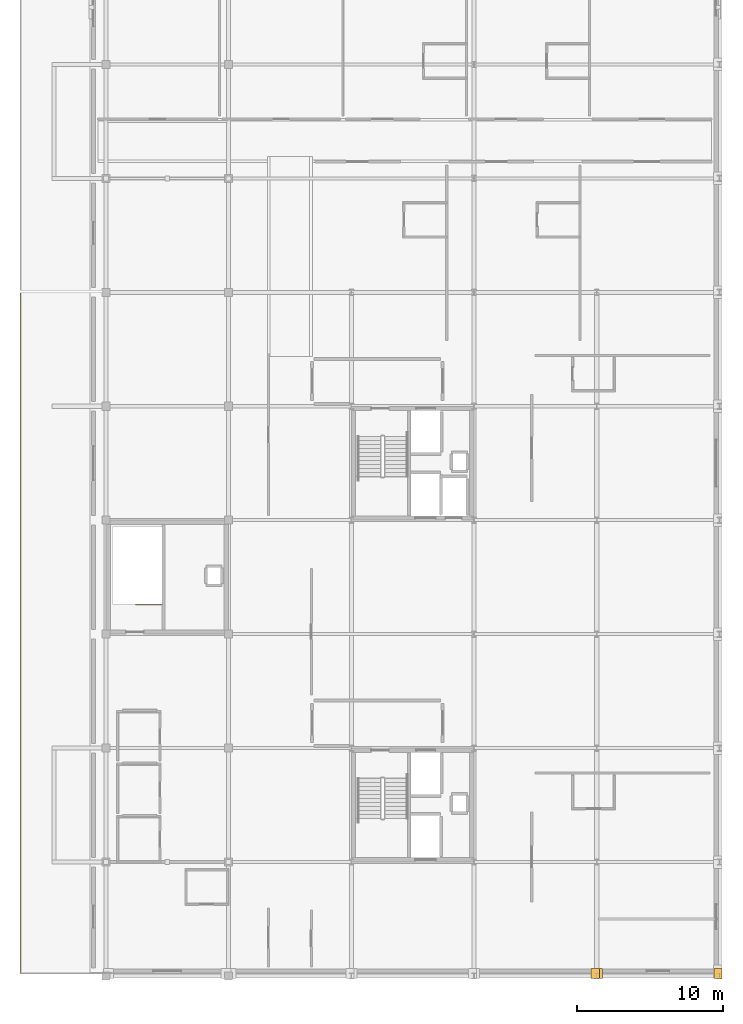
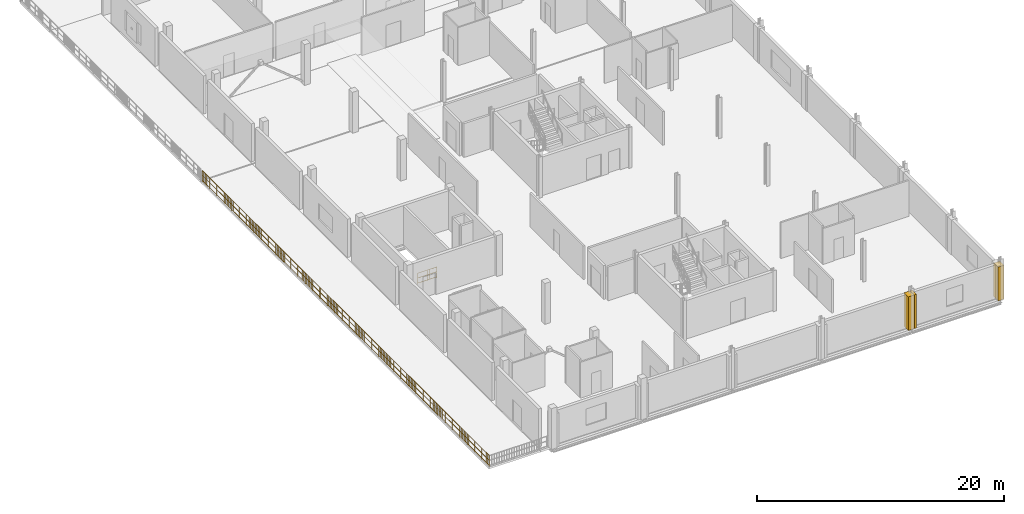
# One storey, part 12 of 16: 3 coverings, 2 railings.
"""IFC4 building model written with IfcOpenShell, lengths in metres."""

from ifc_helpers import new_model, si_unit, direction, frame, origin, origin_2d, place, context, subcontext, project, spatial, polyline, circle, outline, extrude, material, layer, layer_set, type_object, element, save


model = new_model("IFC4")

# Units and contexts
model_context = context("Model", 3, precision=1e-05, world=origin(), true_north=direction((0.0, 1.0)))
body_context = subcontext(model_context, "Body", "Model", "MODEL_VIEW")
ifc_project = project(units=[si_unit("LENGTHUNIT", "METRE"), si_unit("AREAUNIT", "SQUARE_METRE"), si_unit("VOLUMEUNIT", "CUBIC_METRE"), si_unit("PLANEANGLEUNIT", "RADIAN"), si_unit("MASSUNIT", "GRAM", prefix="KILO")], contexts=[model_context])

# Site, building, storey
site_placement = place(None, origin())
site = spatial("IfcSite", under=ifc_project, at=site_placement, CompositionType="ELEMENT")
building_placement = place(site_placement, origin())
building = spatial("IfcBuilding", under=site, at=building_placement, Name="Nabrawat Pavilion Hospital", CompositionType="ELEMENT")
storey_placement = place(building_placement, frame((0.0, 0.0, 31.050048828125)))
storey = spatial("IfcBuildingStorey", under=building, at=storey_placement, Name="L07", CompositionType="ELEMENT", Elevation=31.050048828125)

# Coverings
ifc_material_1 = material(Name="Precast concrete C40/50", Category="concrete")
ifc_layer_1 = layer(ifc_material_1, 0.360107421875, Name="Precast concrete C40/50")
ifc_layer_set_1 = layer_set([ifc_layer_1], Name="Precast concrete C40/50")
covering_type = type_object("IfcCoveringType", Name="Architectural Precast Column-Jamb Closure Reveal", PredefinedType="CLADDING", material=ifc_layer_set_1)
covering_1_placement = place(storey_placement, origin())
element("IfcCovering", 1, at=covering_1_placement, inside=storey, type_object=covering_type, Name="L07 Precast Facade Column-Jamb Weatherseal Closure 0646", PredefinedType="CLADDING", context=body_context, shape_type="SweptSolid", body=[
    extrude(outline(polyline([(184.97998046875, 38.820068359375), (184.97998046875, 39.52001953125), (184.419921875, 39.52001953125), (184.419921875, 38.820068359375), (184.97998046875, 38.820068359375)])), origin(), (0.0, 0.0, 1.0), 3.33984375),
])
covering_2_placement = place(storey_placement, origin())
element("IfcCovering", 2, at=covering_2_placement, inside=storey, type_object=covering_type, Name="L07 Precast Facade Column-Jamb Weatherseal Closure 0647", PredefinedType="CLADDING", context=body_context, shape_type="SweptSolid", body=[
    extrude(outline(polyline([(185.179931640625, 38.820068359375), (185.179931640625, 39.52001953125), (184.6201171875, 39.52001953125), (184.6201171875, 38.820068359375), (185.179931640625, 38.820068359375)])), origin(), (0.0, 0.0, 1.0), 3.33984375),
])
covering_3_placement = place(storey_placement, origin())
element("IfcCovering", 3, at=covering_3_placement, inside=storey, type_object=covering_type, Name="L07 Precast Facade Column-Jamb Weatherseal Closure 0648", PredefinedType="CLADDING", context=body_context, shape_type="SweptSolid", body=[
    extrude(outline(polyline([(193.3798828125, 38.820068359375), (193.3798828125, 39.52001953125), (192.820068359375, 39.52001953125), (192.820068359375, 38.820068359375), (193.3798828125, 38.820068359375)])), origin(), (0.0, 0.0, 1.0), 3.33984375),
])

# Railings
ifc_material_2 = material(Name="Stainless Steel 316", Category="steel")
ifc_layer_2 = layer(ifc_material_2, 0.070068359375, Name="Stainless Steel 316")
ifc_layer_set_2 = layer_set([ifc_layer_2], Name="Stainless Steel 316")
railing_type_1 = type_object("IfcRailingType", Name="Exterior Clinical Terrace Safety Guardrail 1100", PredefinedType="GUARDRAIL", material=ifc_layer_set_2)
railing_1_placement = place(storey_placement, frame((145.3798828125, 39.179931640625, 0.0)))
element("IfcRailing", 4, at=railing_1_placement, inside=storey, type_object=railing_type_1, Name="L07 Terrace Edge Safety Guardrail T_L07_WARD_WEST_S West", PredefinedType="GUARDRAIL", context=body_context, shape_type="SweptSolid", body=[
    extrude(circle(Radius=0.02392578125, at=origin_2d()), frame((0.0, 0.0, 1.076171875), z_axis=(0.0, 1.0, 0.0), x_axis=(-1.0, 0.0, 0.0)), (0.0, 0.0, 1.0), 46.56005859375),
    extrude(circle(Radius=0.02392578125, at=origin_2d()), frame((0.0, 0.0, 0.10009765625), z_axis=(0.0, 1.0, 0.0), x_axis=(-1.0, 0.0, 0.0)), (0.0, 0.0, 1.0), 46.56005859375),
    extrude(circle(Radius=0.02392578125, at=origin_2d()), frame((0.0, 0.0, 0.60498046875), z_axis=(0.0, 1.0, 0.0), x_axis=(-1.0, 0.0, 0.0)), (0.0, 0.0, 1.0), 46.56005859375),
    extrude(circle(Radius=0.008056640625, at=origin_2d()), frame((0.0, 0.23876953125, 0.10009765625)), (0.0, 0.0, 1.0), 0.951904296875),
    extrude(circle(Radius=0.008056640625, at=origin_2d()), frame((0.0, 0.4775390625, 0.10009765625)), (0.0, 0.0, 1.0), 0.951904296875),
    extrude(circle(Radius=0.008056640625, at=origin_2d()), frame((0.0, 0.71630859375, 0.10009765625)), (0.0, 0.0, 1.0), 0.951904296875),
    extrude(circle(Radius=0.008056640625, at=origin_2d()), frame((0.0, 0.955078125, 0.10009765625)), (0.0, 0.0, 1.0), 0.951904296875),
    extrude(circle(Radius=0.008056640625, at=origin_2d()), frame((0.0, 1.4326171875, 0.10009765625)), (0.0, 0.0, 1.0), 0.951904296875),
    extrude(circle(Radius=0.008056640625, at=origin_2d()), frame((0.0, 1.67138671875, 0.10009765625)), (0.0, 0.0, 1.0), 0.951904296875),
    extrude(circle(Radius=0.008056640625, at=origin_2d()), frame((0.0, 1.91015625, 0.10009765625)), (0.0, 0.0, 1.0), 0.951904296875),
    extrude(circle(Radius=0.008056640625, at=origin_2d()), frame((0.0, 2.14892578125, 0.10009765625)), (0.0, 0.0, 1.0), 0.951904296875),
    extrude(circle(Radius=0.008056640625, at=origin_2d()), frame((0.0, 2.62646484375, 0.10009765625)), (0.0, 0.0, 1.0), 0.951904296875),
    extrude(circle(Radius=0.008056640625, at=origin_2d()), frame((0.0, 2.865234375, 0.10009765625)), (0.0, 0.0, 1.0), 0.951904296875),
    extrude(circle(Radius=0.008056640625, at=origin_2d()), frame((0.0, 3.10400390625, 0.10009765625)), (0.0, 0.0, 1.0), 0.951904296875),
    extrude(circle(Radius=0.008056640625, at=origin_2d()), frame((0.0, 3.3427734375, 0.10009765625)), (0.0, 0.0, 1.0), 0.951904296875),
    extrude(circle(Radius=0.008056640625, at=origin_2d()), frame((0.0, 3.8203125, 0.10009765625)), (0.0, 0.0, 1.0), 0.951904296875),
    extrude(circle(Radius=0.008056640625, at=origin_2d()), frame((0.0, 4.05908203125, 0.10009765625)), (0.0, 0.0, 1.0), 0.951904296875),
    extrude(circle(Radius=0.008056640625, at=origin_2d()), frame((0.0, 4.2978515625, 0.10009765625)), (0.0, 0.0, 1.0), 0.951904296875),
    extrude(circle(Radius=0.008056640625, at=origin_2d()), frame((0.0, 4.53662109375, 0.10009765625)), (0.0, 0.0, 1.0), 0.951904296875),
    extrude(circle(Radius=0.008056640625, at=origin_2d()), frame((0.0, 5.01416015625, 0.10009765625)), (0.0, 0.0, 1.0), 0.951904296875),
    extrude(circle(Radius=0.008056640625, at=origin_2d()), frame((0.0, 5.2529296875, 0.10009765625)), (0.0, 0.0, 1.0), 0.951904296875),
    extrude(circle(Radius=0.008056640625, at=origin_2d()), frame((0.0, 5.49169921875, 0.10009765625)), (0.0, 0.0, 1.0), 0.951904296875),
    extrude(circle(Radius=0.008056640625, at=origin_2d()), frame((0.0, 5.73046875, 0.10009765625)), (0.0, 0.0, 1.0), 0.951904296875),
    extrude(circle(Radius=0.008056640625, at=origin_2d()), frame((0.0, 6.2080078125, 0.10009765625)), (0.0, 0.0, 1.0), 0.951904296875),
    extrude(circle(Radius=0.008056640625, at=origin_2d()), frame((0.0, 6.44677734375, 0.10009765625)), (0.0, 0.0, 1.0), 0.951904296875),
    extrude(circle(Radius=0.008056640625, at=origin_2d()), frame((0.0, 6.685546875, 0.10009765625)), (0.0, 0.0, 1.0), 0.951904296875),
    extrude(circle(Radius=0.008056640625, at=origin_2d()), frame((0.0, 6.92431640625, 0.10009765625)), (0.0, 0.0, 1.0), 0.951904296875),
    extrude(circle(Radius=0.008056640625, at=origin_2d()), frame((0.0, 7.40185546875, 0.10009765625)), (0.0, 0.0, 1.0), 0.951904296875),
    extrude(circle(Radius=0.008056640625, at=origin_2d()), frame((0.0, 7.640625, 0.10009765625)), (0.0, 0.0, 1.0), 0.951904296875),
    extrude(circle(Radius=0.008056640625, at=origin_2d()), frame((0.0, 7.87939453125, 0.10009765625)), (0.0, 0.0, 1.0), 0.951904296875),
    extrude(circle(Radius=0.008056640625, at=origin_2d()), frame((0.0, 8.1181640625, 0.10009765625)), (0.0, 0.0, 1.0), 0.951904296875),
    extrude(circle(Radius=0.008056640625, at=origin_2d()), frame((0.0, 8.595703125, 0.10009765625)), (0.0, 0.0, 1.0), 0.951904296875),
    extrude(circle(Radius=0.008056640625, at=origin_2d()), frame((0.0, 8.83447265625, 0.10009765625)), (0.0, 0.0, 1.0), 0.951904296875),
    extrude(circle(Radius=0.008056640625, at=origin_2d()), frame((0.0, 9.0732421875, 0.10009765625)), (0.0, 0.0, 1.0), 0.951904296875),
    extrude(circle(Radius=0.008056640625, at=origin_2d()), frame((0.0, 9.31201171875, 0.10009765625)), (0.0, 0.0, 1.0), 0.951904296875),
    extrude(circle(Radius=0.008056640625, at=origin_2d()), frame((0.0, 9.78955078125, 0.10009765625)), (0.0, 0.0, 1.0), 0.951904296875),
    extrude(circle(Radius=0.008056640625, at=origin_2d()), frame((0.0, 10.0283203125, 0.10009765625)), (0.0, 0.0, 1.0), 0.951904296875),
    extrude(circle(Radius=0.008056640625, at=origin_2d()), frame((0.0, 10.26708984375, 0.10009765625)), (0.0, 0.0, 1.0), 0.951904296875),
    extrude(circle(Radius=0.008056640625, at=origin_2d()), frame((0.0, 10.505859375, 0.10009765625)), (0.0, 0.0, 1.0), 0.951904296875),
    extrude(circle(Radius=0.008056640625, at=origin_2d()), frame((0.0, 10.9833984375, 0.10009765625)), (0.0, 0.0, 1.0), 0.951904296875),
    extrude(circle(Radius=0.008056640625, at=origin_2d()), frame((0.0, 11.22216796875, 0.10009765625)), (0.0, 0.0, 1.0), 0.951904296875),
    extrude(circle(Radius=0.008056640625, at=origin_2d()), frame((0.0, 11.4609375, 0.10009765625)), (0.0, 0.0, 1.0), 0.951904296875),
    extrude(circle(Radius=0.008056640625, at=origin_2d()), frame((0.0, 11.69970703125, 0.10009765625)), (0.0, 0.0, 1.0), 0.951904296875),
    extrude(circle(Radius=0.008056640625, at=origin_2d()), frame((0.0, 12.17724609375, 0.10009765625)), (0.0, 0.0, 1.0), 0.951904296875),
    extrude(circle(Radius=0.008056640625, at=origin_2d()), frame((0.0, 12.416015625, 0.10009765625)), (0.0, 0.0, 1.0), 0.951904296875),
    extrude(circle(Radius=0.008056640625, at=origin_2d()), frame((0.0, 12.65478515625, 0.10009765625)), (0.0, 0.0, 1.0), 0.951904296875),
    extrude(circle(Radius=0.008056640625, at=origin_2d()), frame((0.0, 12.8935546875, 0.10009765625)), (0.0, 0.0, 1.0), 0.951904296875),
    extrude(circle(Radius=0.008056640625, at=origin_2d()), frame((0.0, 13.37109375, 0.10009765625)), (0.0, 0.0, 1.0), 0.951904296875),
    extrude(circle(Radius=0.008056640625, at=origin_2d()), frame((0.0, 13.60986328125, 0.10009765625)), (0.0, 0.0, 1.0), 0.951904296875),
    extrude(circle(Radius=0.008056640625, at=origin_2d()), frame((0.0, 13.8486328125, 0.10009765625)), (0.0, 0.0, 1.0), 0.951904296875),
    extrude(circle(Radius=0.008056640625, at=origin_2d()), frame((0.0, 14.08740234375, 0.10009765625)), (0.0, 0.0, 1.0), 0.951904296875),
    extrude(circle(Radius=0.008056640625, at=origin_2d()), frame((0.0, 14.56494140625, 0.10009765625)), (0.0, 0.0, 1.0), 0.951904296875),
    extrude(circle(Radius=0.008056640625, at=origin_2d()), frame((0.0, 14.8037109375, 0.10009765625)), (0.0, 0.0, 1.0), 0.951904296875),
    extrude(circle(Radius=0.008056640625, at=origin_2d()), frame((0.0, 15.04248046875, 0.10009765625)), (0.0, 0.0, 1.0), 0.951904296875),
    extrude(circle(Radius=0.008056640625, at=origin_2d()), frame((0.0, 15.28125, 0.10009765625)), (0.0, 0.0, 1.0), 0.951904296875),
    extrude(circle(Radius=0.008056640625, at=origin_2d()), frame((0.0, 15.7587890625, 0.10009765625)), (0.0, 0.0, 1.0), 0.951904296875),
    extrude(circle(Radius=0.008056640625, at=origin_2d()), frame((0.0, 15.99755859375, 0.10009765625)), (0.0, 0.0, 1.0), 0.951904296875),
    extrude(circle(Radius=0.008056640625, at=origin_2d()), frame((0.0, 16.236328125, 0.10009765625)), (0.0, 0.0, 1.0), 0.951904296875),
    extrude(circle(Radius=0.008056640625, at=origin_2d()), frame((0.0, 16.47509765625, 0.10009765625)), (0.0, 0.0, 1.0), 0.951904296875),
    extrude(circle(Radius=0.008056640625, at=origin_2d()), frame((0.0, 16.95263671875, 0.10009765625)), (0.0, 0.0, 1.0), 0.951904296875),
    extrude(circle(Radius=0.008056640625, at=origin_2d()), frame((0.0, 17.19140625, 0.10009765625)), (0.0, 0.0, 1.0), 0.951904296875),
    extrude(circle(Radius=0.008056640625, at=origin_2d()), frame((0.0, 17.43017578125, 0.10009765625)), (0.0, 0.0, 1.0), 0.951904296875),
    extrude(circle(Radius=0.008056640625, at=origin_2d()), frame((0.0, 17.6689453125, 0.10009765625)), (0.0, 0.0, 1.0), 0.951904296875),
    extrude(circle(Radius=0.008056640625, at=origin_2d()), frame((0.0, 18.146484375, 0.10009765625)), (0.0, 0.0, 1.0), 0.951904296875),
    extrude(circle(Radius=0.008056640625, at=origin_2d()), frame((0.0, 18.38525390625, 0.10009765625)), (0.0, 0.0, 1.0), 0.951904296875),
    extrude(circle(Radius=0.008056640625, at=origin_2d()), frame((0.0, 18.6240234375, 0.10009765625)), (0.0, 0.0, 1.0), 0.951904296875),
    extrude(circle(Radius=0.008056640625, at=origin_2d()), frame((0.0, 18.86279296875, 0.10009765625)), (0.0, 0.0, 1.0), 0.951904296875),
    extrude(circle(Radius=0.008056640625, at=origin_2d()), frame((0.0, 19.34033203125, 0.10009765625)), (0.0, 0.0, 1.0), 0.951904296875),
    extrude(circle(Radius=0.008056640625, at=origin_2d()), frame((0.0, 19.5791015625, 0.10009765625)), (0.0, 0.0, 1.0), 0.951904296875),
    extrude(circle(Radius=0.008056640625, at=origin_2d()), frame((0.0, 19.81787109375, 0.10009765625)), (0.0, 0.0, 1.0), 0.951904296875),
    extrude(circle(Radius=0.008056640625, at=origin_2d()), frame((0.0, 20.056640625, 0.10009765625)), (0.0, 0.0, 1.0), 0.951904296875),
    extrude(circle(Radius=0.008056640625, at=origin_2d()), frame((0.0, 20.5341796875, 0.10009765625)), (0.0, 0.0, 1.0), 0.951904296875),
    extrude(circle(Radius=0.008056640625, at=origin_2d()), frame((0.0, 20.77294921875, 0.10009765625)), (0.0, 0.0, 1.0), 0.951904296875),
    extrude(circle(Radius=0.008056640625, at=origin_2d()), frame((0.0, 21.01171875, 0.10009765625)), (0.0, 0.0, 1.0), 0.951904296875),
    extrude(circle(Radius=0.008056640625, at=origin_2d()), frame((0.0, 21.25048828125, 0.10009765625)), (0.0, 0.0, 1.0), 0.951904296875),
    extrude(circle(Radius=0.008056640625, at=origin_2d()), frame((0.0, 21.72802734375, 0.10009765625)), (0.0, 0.0, 1.0), 0.951904296875),
    extrude(circle(Radius=0.008056640625, at=origin_2d()), frame((0.0, 21.966796875, 0.10009765625)), (0.0, 0.0, 1.0), 0.951904296875),
    extrude(circle(Radius=0.008056640625, at=origin_2d()), frame((0.0, 22.20556640625, 0.10009765625)), (0.0, 0.0, 1.0), 0.951904296875),
    extrude(circle(Radius=0.008056640625, at=origin_2d()), frame((0.0, 22.4443359375, 0.10009765625)), (0.0, 0.0, 1.0), 0.951904296875),
    extrude(circle(Radius=0.008056640625, at=origin_2d()), frame((0.0, 22.921875, 0.10009765625)), (0.0, 0.0, 1.0), 0.951904296875),
    extrude(circle(Radius=0.008056640625, at=origin_2d()), frame((0.0, 23.16064453125, 0.10009765625)), (0.0, 0.0, 1.0), 0.951904296875),
    extrude(circle(Radius=0.008056640625, at=origin_2d()), frame((0.0, 23.3994140625, 0.10009765625)), (0.0, 0.0, 1.0), 0.951904296875),
    extrude(circle(Radius=0.008056640625, at=origin_2d()), frame((0.0, 23.63818359375, 0.10009765625)), (0.0, 0.0, 1.0), 0.951904296875),
    extrude(circle(Radius=0.008056640625, at=origin_2d()), frame((0.0, 24.11572265625, 0.10009765625)), (0.0, 0.0, 1.0), 0.951904296875),
    extrude(circle(Radius=0.008056640625, at=origin_2d()), frame((0.0, 24.3544921875, 0.10009765625)), (0.0, 0.0, 1.0), 0.951904296875),
    extrude(circle(Radius=0.008056640625, at=origin_2d()), frame((0.0, 24.59326171875, 0.10009765625)), (0.0, 0.0, 1.0), 0.951904296875),
    extrude(circle(Radius=0.008056640625, at=origin_2d()), frame((0.0, 24.83203125, 0.10009765625)), (0.0, 0.0, 1.0), 0.951904296875),
    extrude(circle(Radius=0.008056640625, at=origin_2d()), frame((0.0, 25.3095703125, 0.10009765625)), (0.0, 0.0, 1.0), 0.951904296875),
    extrude(circle(Radius=0.008056640625, at=origin_2d()), frame((0.0, 25.54833984375, 0.10009765625)), (0.0, 0.0, 1.0), 0.951904296875),
    extrude(circle(Radius=0.008056640625, at=origin_2d()), frame((0.0, 25.787109375, 0.10009765625)), (0.0, 0.0, 1.0), 0.951904296875),
    extrude(circle(Radius=0.008056640625, at=origin_2d()), frame((0.0, 26.02587890625, 0.10009765625)), (0.0, 0.0, 1.0), 0.951904296875),
    extrude(circle(Radius=0.008056640625, at=origin_2d()), frame((0.0, 26.50341796875, 0.10009765625)), (0.0, 0.0, 1.0), 0.951904296875),
    extrude(circle(Radius=0.008056640625, at=origin_2d()), frame((0.0, 26.7421875, 0.10009765625)), (0.0, 0.0, 1.0), 0.951904296875),
    extrude(circle(Radius=0.008056640625, at=origin_2d()), frame((0.0, 26.98095703125, 0.10009765625)), (0.0, 0.0, 1.0), 0.951904296875),
    extrude(circle(Radius=0.008056640625, at=origin_2d()), frame((0.0, 27.2197265625, 0.10009765625)), (0.0, 0.0, 1.0), 0.951904296875),
    extrude(circle(Radius=0.008056640625, at=origin_2d()), frame((0.0, 27.697265625, 0.10009765625)), (0.0, 0.0, 1.0), 0.951904296875),
    extrude(circle(Radius=0.008056640625, at=origin_2d()), frame((0.0, 27.93603515625, 0.10009765625)), (0.0, 0.0, 1.0), 0.951904296875),
    extrude(circle(Radius=0.008056640625, at=origin_2d()), frame((0.0, 28.1748046875, 0.10009765625)), (0.0, 0.0, 1.0), 0.951904296875),
    extrude(circle(Radius=0.008056640625, at=origin_2d()), frame((0.0, 28.41357421875, 0.10009765625)), (0.0, 0.0, 1.0), 0.951904296875),
    extrude(circle(Radius=0.008056640625, at=origin_2d()), frame((0.0, 28.89111328125, 0.10009765625)), (0.0, 0.0, 1.0), 0.951904296875),
    extrude(circle(Radius=0.008056640625, at=origin_2d()), frame((0.0, 29.1298828125, 0.10009765625)), (0.0, 0.0, 1.0), 0.951904296875),
    extrude(circle(Radius=0.008056640625, at=origin_2d()), frame((0.0, 29.36865234375, 0.10009765625)), (0.0, 0.0, 1.0), 0.951904296875),
    extrude(circle(Radius=0.008056640625, at=origin_2d()), frame((0.0, 29.607421875, 0.10009765625)), (0.0, 0.0, 1.0), 0.951904296875),
    extrude(circle(Radius=0.008056640625, at=origin_2d()), frame((0.0, 30.0849609375, 0.10009765625)), (0.0, 0.0, 1.0), 0.951904296875),
    extrude(circle(Radius=0.008056640625, at=origin_2d()), frame((0.0, 30.32373046875, 0.10009765625)), (0.0, 0.0, 1.0), 0.951904296875),
    extrude(circle(Radius=0.008056640625, at=origin_2d()), frame((0.0, 30.5625, 0.10009765625)), (0.0, 0.0, 1.0), 0.951904296875),
    extrude(circle(Radius=0.008056640625, at=origin_2d()), frame((0.0, 30.80126953125, 0.10009765625)), (0.0, 0.0, 1.0), 0.951904296875),
    extrude(circle(Radius=0.008056640625, at=origin_2d()), frame((0.0, 31.27880859375, 0.10009765625)), (0.0, 0.0, 1.0), 0.951904296875),
    extrude(circle(Radius=0.008056640625, at=origin_2d()), frame((0.0, 31.517578125, 0.10009765625)), (0.0, 0.0, 1.0), 0.951904296875),
    extrude(circle(Radius=0.008056640625, at=origin_2d()), frame((0.0, 31.75634765625, 0.10009765625)), (0.0, 0.0, 1.0), 0.951904296875),
    extrude(circle(Radius=0.008056640625, at=origin_2d()), frame((0.0, 31.9951171875, 0.10009765625)), (0.0, 0.0, 1.0), 0.951904296875),
    extrude(circle(Radius=0.008056640625, at=origin_2d()), frame((0.0, 32.47265625, 0.10009765625)), (0.0, 0.0, 1.0), 0.951904296875),
    extrude(circle(Radius=0.008056640625, at=origin_2d()), frame((0.0, 32.71142578125, 0.10009765625)), (0.0, 0.0, 1.0), 0.951904296875),
    extrude(circle(Radius=0.008056640625, at=origin_2d()), frame((0.0, 32.9501953125, 0.10009765625)), (0.0, 0.0, 1.0), 0.951904296875),
    extrude(circle(Radius=0.008056640625, at=origin_2d()), frame((0.0, 33.18896484375, 0.10009765625)), (0.0, 0.0, 1.0), 0.951904296875),
    extrude(circle(Radius=0.008056640625, at=origin_2d()), frame((0.0, 33.66650390625, 0.10009765625)), (0.0, 0.0, 1.0), 0.951904296875),
    extrude(circle(Radius=0.008056640625, at=origin_2d()), frame((0.0, 33.9052734375, 0.10009765625)), (0.0, 0.0, 1.0), 0.951904296875),
    extrude(circle(Radius=0.008056640625, at=origin_2d()), frame((0.0, 34.14404296875, 0.10009765625)), (0.0, 0.0, 1.0), 0.951904296875),
    extrude(circle(Radius=0.008056640625, at=origin_2d()), frame((0.0, 34.3828125, 0.10009765625)), (0.0, 0.0, 1.0), 0.951904296875),
    extrude(circle(Radius=0.008056640625, at=origin_2d()), frame((0.0, 34.8603515625, 0.10009765625)), (0.0, 0.0, 1.0), 0.951904296875),
    extrude(circle(Radius=0.008056640625, at=origin_2d()), frame((0.0, 35.09912109375, 0.10009765625)), (0.0, 0.0, 1.0), 0.951904296875),
    extrude(circle(Radius=0.008056640625, at=origin_2d()), frame((0.0, 35.337890625, 0.10009765625)), (0.0, 0.0, 1.0), 0.951904296875),
    extrude(circle(Radius=0.008056640625, at=origin_2d()), frame((0.0, 35.57666015625, 0.10009765625)), (0.0, 0.0, 1.0), 0.951904296875),
    extrude(circle(Radius=0.008056640625, at=origin_2d()), frame((0.0, 36.05419921875, 0.10009765625)), (0.0, 0.0, 1.0), 0.951904296875),
    extrude(circle(Radius=0.008056640625, at=origin_2d()), frame((0.0, 36.29296875, 0.10009765625)), (0.0, 0.0, 1.0), 0.951904296875),
    extrude(circle(Radius=0.008056640625, at=origin_2d()), frame((0.0, 36.53173828125, 0.10009765625)), (0.0, 0.0, 1.0), 0.951904296875),
    extrude(circle(Radius=0.008056640625, at=origin_2d()), frame((0.0, 36.7705078125, 0.10009765625)), (0.0, 0.0, 1.0), 0.951904296875),
    extrude(circle(Radius=0.008056640625, at=origin_2d()), frame((0.0, 37.248046875, 0.10009765625)), (0.0, 0.0, 1.0), 0.951904296875),
    extrude(circle(Radius=0.008056640625, at=origin_2d()), frame((0.0, 37.48681640625, 0.10009765625)), (0.0, 0.0, 1.0), 0.951904296875),
    extrude(circle(Radius=0.008056640625, at=origin_2d()), frame((0.0, 37.7255859375, 0.10009765625)), (0.0, 0.0, 1.0), 0.951904296875),
    extrude(circle(Radius=0.008056640625, at=origin_2d()), frame((0.0, 37.96435546875, 0.10009765625)), (0.0, 0.0, 1.0), 0.951904296875),
    extrude(circle(Radius=0.008056640625, at=origin_2d()), frame((0.0, 38.44189453125, 0.10009765625)), (0.0, 0.0, 1.0), 0.951904296875),
    extrude(circle(Radius=0.008056640625, at=origin_2d()), frame((0.0, 38.6806640625, 0.10009765625)), (0.0, 0.0, 1.0), 0.951904296875),
    extrude(circle(Radius=0.008056640625, at=origin_2d()), frame((0.0, 38.91943359375, 0.10009765625)), (0.0, 0.0, 1.0), 0.951904296875),
    extrude(circle(Radius=0.008056640625, at=origin_2d()), frame((0.0, 39.158203125, 0.10009765625)), (0.0, 0.0, 1.0), 0.951904296875),
    extrude(circle(Radius=0.008056640625, at=origin_2d()), frame((0.0, 39.6357421875, 0.10009765625)), (0.0, 0.0, 1.0), 0.951904296875),
    extrude(circle(Radius=0.008056640625, at=origin_2d()), frame((0.0, 39.87451171875, 0.10009765625)), (0.0, 0.0, 1.0), 0.951904296875),
    extrude(circle(Radius=0.008056640625, at=origin_2d()), frame((0.0, 40.11328125, 0.10009765625)), (0.0, 0.0, 1.0), 0.951904296875),
    extrude(circle(Radius=0.008056640625, at=origin_2d()), frame((0.0, 40.35205078125, 0.10009765625)), (0.0, 0.0, 1.0), 0.951904296875),
    extrude(circle(Radius=0.008056640625, at=origin_2d()), frame((0.0, 40.82958984375, 0.10009765625)), (0.0, 0.0, 1.0), 0.951904296875),
    extrude(circle(Radius=0.008056640625, at=origin_2d()), frame((0.0, 41.068359375, 0.10009765625)), (0.0, 0.0, 1.0), 0.951904296875),
    extrude(circle(Radius=0.008056640625, at=origin_2d()), frame((0.0, 41.30712890625, 0.10009765625)), (0.0, 0.0, 1.0), 0.951904296875),
    extrude(circle(Radius=0.008056640625, at=origin_2d()), frame((0.0, 41.5458984375, 0.10009765625)), (0.0, 0.0, 1.0), 0.951904296875),
    extrude(circle(Radius=0.008056640625, at=origin_2d()), frame((0.0, 42.0234375, 0.10009765625)), (0.0, 0.0, 1.0), 0.951904296875),
    extrude(circle(Radius=0.008056640625, at=origin_2d()), frame((0.0, 42.26220703125, 0.10009765625)), (0.0, 0.0, 1.0), 0.951904296875),
    extrude(circle(Radius=0.008056640625, at=origin_2d()), frame((0.0, 42.5009765625, 0.10009765625)), (0.0, 0.0, 1.0), 0.951904296875),
    extrude(circle(Radius=0.008056640625, at=origin_2d()), frame((0.0, 42.73974609375, 0.10009765625)), (0.0, 0.0, 1.0), 0.951904296875),
    extrude(circle(Radius=0.008056640625, at=origin_2d()), frame((0.0, 43.21728515625, 0.10009765625)), (0.0, 0.0, 1.0), 0.951904296875),
    extrude(circle(Radius=0.008056640625, at=origin_2d()), frame((0.0, 43.4560546875, 0.10009765625)), (0.0, 0.0, 1.0), 0.951904296875),
    extrude(circle(Radius=0.008056640625, at=origin_2d()), frame((0.0, 43.69482421875, 0.10009765625)), (0.0, 0.0, 1.0), 0.951904296875),
    extrude(circle(Radius=0.008056640625, at=origin_2d()), frame((0.0, 43.93359375, 0.10009765625)), (0.0, 0.0, 1.0), 0.951904296875),
    extrude(circle(Radius=0.008056640625, at=origin_2d()), frame((0.0, 44.4111328125, 0.10009765625)), (0.0, 0.0, 1.0), 0.951904296875),
    extrude(circle(Radius=0.008056640625, at=origin_2d()), frame((0.0, 44.64990234375, 0.10009765625)), (0.0, 0.0, 1.0), 0.951904296875),
    extrude(circle(Radius=0.008056640625, at=origin_2d()), frame((0.0, 44.888671875, 0.10009765625)), (0.0, 0.0, 1.0), 0.951904296875),
    extrude(circle(Radius=0.008056640625, at=origin_2d()), frame((0.0, 45.12744140625, 0.10009765625)), (0.0, 0.0, 1.0), 0.951904296875),
    extrude(circle(Radius=0.008056640625, at=origin_2d()), frame((0.0, 45.60498046875, 0.10009765625)), (0.0, 0.0, 1.0), 0.951904296875),
    extrude(circle(Radius=0.008056640625, at=origin_2d()), frame((0.0, 45.84375, 0.10009765625)), (0.0, 0.0, 1.0), 0.951904296875),
    extrude(circle(Radius=0.008056640625, at=origin_2d()), frame((0.0, 46.08251953125, 0.10009765625)), (0.0, 0.0, 1.0), 0.951904296875),
    extrude(circle(Radius=0.008056640625, at=origin_2d()), frame((0.0, 46.3212890625, 0.10009765625)), (0.0, 0.0, 1.0), 0.951904296875),
    extrude(circle(Radius=0.02099609375, at=origin_2d()), origin(), (0.0, 0.0, 1.0), 1.052001953125),
    extrude(circle(Radius=0.02099609375, at=origin_2d()), frame((0.0, 1.19384765625, 0.0)), (0.0, 0.0, 1.0), 1.052001953125),
    extrude(circle(Radius=0.02099609375, at=origin_2d()), frame((0.0, 2.3876953125, 0.0)), (0.0, 0.0, 1.0), 1.052001953125),
    extrude(circle(Radius=0.02099609375, at=origin_2d()), frame((0.0, 3.58154296875, 0.0)), (0.0, 0.0, 1.0), 1.052001953125),
    extrude(circle(Radius=0.02099609375, at=origin_2d()), frame((0.0, 4.775390625, 0.0)), (0.0, 0.0, 1.0), 1.052001953125),
    extrude(circle(Radius=0.02099609375, at=origin_2d()), frame((0.0, 5.96923828125, 0.0)), (0.0, 0.0, 1.0), 1.052001953125),
    extrude(circle(Radius=0.02099609375, at=origin_2d()), frame((0.0, 7.1630859375, 0.0)), (0.0, 0.0, 1.0), 1.052001953125),
    extrude(circle(Radius=0.02099609375, at=origin_2d()), frame((0.0, 8.35693359375, 0.0)), (0.0, 0.0, 1.0), 1.052001953125),
    extrude(circle(Radius=0.02099609375, at=origin_2d()), frame((0.0, 9.55078125, 0.0)), (0.0, 0.0, 1.0), 1.052001953125),
    extrude(circle(Radius=0.02099609375, at=origin_2d()), frame((0.0, 10.74462890625, 0.0)), (0.0, 0.0, 1.0), 1.052001953125),
    extrude(circle(Radius=0.02099609375, at=origin_2d()), frame((0.0, 11.9384765625, 0.0)), (0.0, 0.0, 1.0), 1.052001953125),
    extrude(circle(Radius=0.02099609375, at=origin_2d()), frame((0.0, 13.13232421875, 0.0)), (0.0, 0.0, 1.0), 1.052001953125),
    extrude(circle(Radius=0.02099609375, at=origin_2d()), frame((0.0, 14.326171875, 0.0)), (0.0, 0.0, 1.0), 1.052001953125),
    extrude(circle(Radius=0.02099609375, at=origin_2d()), frame((0.0, 15.52001953125, 0.0)), (0.0, 0.0, 1.0), 1.052001953125),
    extrude(circle(Radius=0.02099609375, at=origin_2d()), frame((0.0, 16.7138671875, 0.0)), (0.0, 0.0, 1.0), 1.052001953125),
    extrude(circle(Radius=0.02099609375, at=origin_2d()), frame((0.0, 17.90771484375, 0.0)), (0.0, 0.0, 1.0), 1.052001953125),
    extrude(circle(Radius=0.02099609375, at=origin_2d()), frame((0.0, 19.1015625, 0.0)), (0.0, 0.0, 1.0), 1.052001953125),
    extrude(circle(Radius=0.02099609375, at=origin_2d()), frame((0.0, 20.29541015625, 0.0)), (0.0, 0.0, 1.0), 1.052001953125),
    extrude(circle(Radius=0.02099609375, at=origin_2d()), frame((0.0, 21.4892578125, 0.0)), (0.0, 0.0, 1.0), 1.052001953125),
    extrude(circle(Radius=0.02099609375, at=origin_2d()), frame((0.0, 22.68310546875, 0.0)), (0.0, 0.0, 1.0), 1.052001953125),
    extrude(circle(Radius=0.02099609375, at=origin_2d()), frame((0.0, 23.876953125, 0.0)), (0.0, 0.0, 1.0), 1.052001953125),
    extrude(circle(Radius=0.02099609375, at=origin_2d()), frame((0.0, 25.07080078125, 0.0)), (0.0, 0.0, 1.0), 1.052001953125),
    extrude(circle(Radius=0.02099609375, at=origin_2d()), frame((0.0, 26.2646484375, 0.0)), (0.0, 0.0, 1.0), 1.052001953125),
    extrude(circle(Radius=0.02099609375, at=origin_2d()), frame((0.0, 27.45849609375, 0.0)), (0.0, 0.0, 1.0), 1.052001953125),
    extrude(circle(Radius=0.02099609375, at=origin_2d()), frame((0.0, 28.65234375, 0.0)), (0.0, 0.0, 1.0), 1.052001953125),
    extrude(circle(Radius=0.02099609375, at=origin_2d()), frame((0.0, 29.84619140625, 0.0)), (0.0, 0.0, 1.0), 1.052001953125),
    extrude(circle(Radius=0.02099609375, at=origin_2d()), frame((0.0, 31.0400390625, 0.0)), (0.0, 0.0, 1.0), 1.052001953125),
    extrude(circle(Radius=0.02099609375, at=origin_2d()), frame((0.0, 32.23388671875, 0.0)), (0.0, 0.0, 1.0), 1.052001953125),
    extrude(circle(Radius=0.02099609375, at=origin_2d()), frame((0.0, 33.427734375, 0.0)), (0.0, 0.0, 1.0), 1.052001953125),
    extrude(circle(Radius=0.02099609375, at=origin_2d()), frame((0.0, 34.62158203125, 0.0)), (0.0, 0.0, 1.0), 1.052001953125),
    extrude(circle(Radius=0.02099609375, at=origin_2d()), frame((0.0, 35.8154296875, 0.0)), (0.0, 0.0, 1.0), 1.052001953125),
    extrude(circle(Radius=0.02099609375, at=origin_2d()), frame((0.0, 37.00927734375, 0.0)), (0.0, 0.0, 1.0), 1.052001953125),
    extrude(circle(Radius=0.02099609375, at=origin_2d()), frame((0.0, 38.203125, 0.0)), (0.0, 0.0, 1.0), 1.052001953125),
    extrude(circle(Radius=0.02099609375, at=origin_2d()), frame((0.0, 39.39697265625, 0.0)), (0.0, 0.0, 1.0), 1.052001953125),
    extrude(circle(Radius=0.02099609375, at=origin_2d()), frame((0.0, 40.5908203125, 0.0)), (0.0, 0.0, 1.0), 1.052001953125),
    extrude(circle(Radius=0.02099609375, at=origin_2d()), frame((0.0, 41.78466796875, 0.0)), (0.0, 0.0, 1.0), 1.052001953125),
    extrude(circle(Radius=0.02099609375, at=origin_2d()), frame((0.0, 42.978515625, 0.0)), (0.0, 0.0, 1.0), 1.052001953125),
    extrude(circle(Radius=0.02099609375, at=origin_2d()), frame((0.0, 44.17236328125, 0.0)), (0.0, 0.0, 1.0), 1.052001953125),
    extrude(circle(Radius=0.02099609375, at=origin_2d()), frame((0.0, 45.3662109375, 0.0)), (0.0, 0.0, 1.0), 1.052001953125),
    extrude(circle(Radius=0.02099609375, at=origin_2d()), frame((0.0, 46.56005859375, 0.0)), (0.0, 0.0, 1.0), 1.052001953125),
])
ifc_layer_3 = layer(ifc_material_2, 0.050048828125, Name="Stainless Steel 316")
ifc_layer_set_3 = layer_set([ifc_layer_3], Name="Stainless Steel 316")
railing_type_2 = type_object("IfcRailingType", Name="Stair Open-Well Safety Guardrail 1100", PredefinedType="GUARDRAIL", material=ifc_layer_set_3)
railing_2_placement = place(storey_placement, frame((155.050048828125, 64.419921875, 0.0)))
element("IfcRailing", 5, at=railing_2_placement, inside=storey, type_object=railing_type_2, Name="L07 ST-09 top well guard 1", PredefinedType="GUARDRAIL", context=body_context, shape_type="SweptSolid", body=[
    extrude(circle(Radius=0.02392578125, at=origin_2d()), frame((0.0, 0.0, 1.076171875), z_axis=(-1.0, 0.0, 0.0), x_axis=(0.0, -1.0, 0.0)), (0.0, 0.0, 1.0), 1.800048828125),
    extrude(circle(Radius=0.02392578125, at=origin_2d()), frame((0.0, 0.0, 0.10009765625), z_axis=(-1.0, 0.0, 0.0), x_axis=(0.0, -1.0, 0.0)), (0.0, 0.0, 1.0), 1.800048828125),
    extrude(circle(Radius=0.02392578125, at=origin_2d()), frame((0.0, 0.0, 0.60498046875), z_axis=(-1.0, 0.0, 0.0), x_axis=(0.0, -1.0, 0.0)), (0.0, 0.0, 1.0), 1.800048828125),
    extrude(circle(Radius=0.008056640625, at=origin_2d()), frame((-0.22509765625, 0.0, 0.10009765625)), (0.0, 0.0, 1.0), 0.951904296875),
    extrude(circle(Radius=0.008056640625, at=origin_2d()), frame((-0.449951171875, 0.0, 0.10009765625)), (0.0, 0.0, 1.0), 0.951904296875),
    extrude(circle(Radius=0.008056640625, at=origin_2d()), frame((-0.675048828125, 0.0, 0.10009765625)), (0.0, 0.0, 1.0), 0.951904296875),
    extrude(circle(Radius=0.008056640625, at=origin_2d()), frame((-1.125, 0.0, 0.10009765625)), (0.0, 0.0, 1.0), 0.951904296875),
    extrude(circle(Radius=0.008056640625, at=origin_2d()), frame((-1.35009765625, 0.0, 0.10009765625)), (0.0, 0.0, 1.0), 0.951904296875),
    extrude(circle(Radius=0.008056640625, at=origin_2d()), frame((-1.574951171875, 0.0, 0.10009765625)), (0.0, 0.0, 1.0), 0.951904296875),
    extrude(circle(Radius=0.02099609375, at=origin_2d()), origin(), (0.0, 0.0, 1.0), 1.052001953125),
    extrude(circle(Radius=0.02099609375, at=origin_2d()), frame((-0.89990234375, 0.0, 0.0)), (0.0, 0.0, 1.0), 1.052001953125),
    extrude(circle(Radius=0.02099609375, at=origin_2d()), frame((-1.800048828125, 0.0, 0.0)), (0.0, 0.0, 1.0), 1.052001953125),
])

save(model, "model.ifc")
